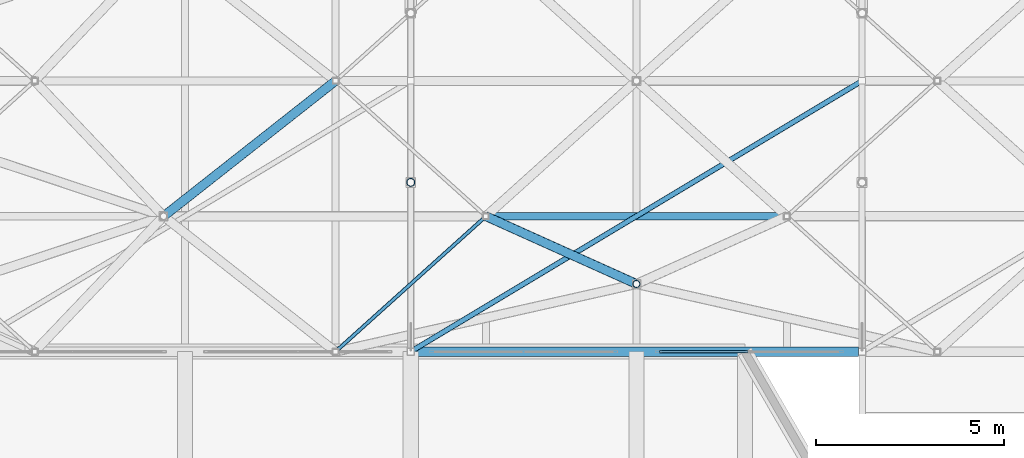
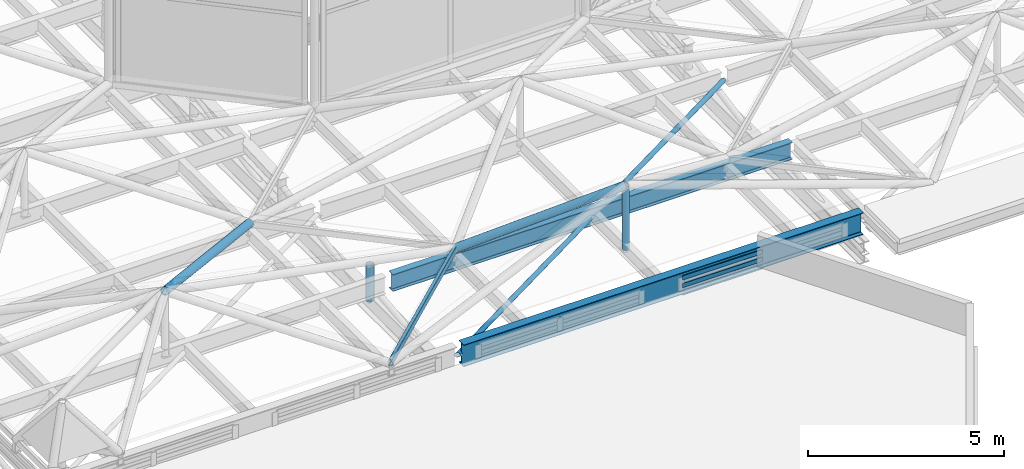
# One storey, part 9 of 239: 8 members, 3 beams, 1 element without a shape of its own.
"""IFC4 building model written with IfcOpenShell, lengths in metres."""

from ifc_helpers import new_model, si_unit, direction, frame, origin, origin_2d, place, context, subcontext, project, spatial, hollow_rectangle, hollow_circle, i_section, extrude, material, layer, layer_set, material_profile, profile_set, type_object, element, aggregate, save


model = new_model("IFC4")

# Units and contexts
model_context = context("Model", 3, precision=1e-05, world=origin(), true_north=direction((0.0, 1.0)))
body_context = subcontext(model_context, "Body", "Model", "MODEL_VIEW")
ifc_project = project(units=[si_unit("LENGTHUNIT", "METRE"), si_unit("AREAUNIT", "SQUARE_METRE"), si_unit("VOLUMEUNIT", "CUBIC_METRE"), si_unit("PLANEANGLEUNIT", "RADIAN"), si_unit("MASSUNIT", "GRAM", prefix="KILO")], contexts=[model_context])

# Site, building, storey
site_placement = place(None, origin())
site = spatial("IfcSite", under=ifc_project, at=site_placement, CompositionType="ELEMENT")
building_placement = place(site_placement, origin())
building = spatial("IfcBuilding", under=site, at=building_placement, Name="Dunvalen Ferry Terminal", CompositionType="ELEMENT")
storey_placement = place(building_placement, frame((0.0, 0.0, 9.840087890625)))
storey = spatial("IfcBuildingStorey", under=building, at=storey_placement, Name="L02", CompositionType="ELEMENT", Elevation=9.840087890625)

# Curtain wall, members
ifc_material_1 = material(Name="Anodised marine aluminium and solar-control glazing", Category="aluminium")
ifc_layer = layer(ifc_material_1, 0.219970703125, Name="Anodised marine aluminium and solar-control glazing")
ifc_layer_set = layer_set([ifc_layer], Name="Anodised marine aluminium and solar-control glazing")
curtain_wall_type = type_object("IfcCurtainWallType", Name="ENV-CW-SYS-02", PredefinedType="NOTDEFINED", material=ifc_layer_set)
curtain_wall_placement = place(storey_placement, origin())
curtain_wall = element("IfcCurtainWall", 1, at=curtain_wall_placement, inside=storey, type_object=curtain_wall_type, Name="L02 Curtain Wall CW-V1SW-CLR-04", PredefinedType="NOTDEFINED")
ifc_material_2 = material(Name="Anodised marine aluminium EN AW-6063 T6", Category="aluminium")
ifc_material_profile_1 = material_profile(ifc_material_2, hollow_rectangle(XDim=0.06005859375, YDim=0.135009765625, WallThickness=0.003173828125, InnerFilletRadius=0.003173828125, OuterFilletRadius=0.00634765625, at=origin_2d()), Name="Anodised marine aluminium EN AW-6063 T6")
ifc_profile_set_1 = profile_set([ifc_material_profile_1], Name="Anodised marine aluminium EN AW-6063 T6")
member_type_1 = type_object("IfcMemberType", Name="ENV-CW-TRN-2", PredefinedType="USERDEFINED", material=ifc_profile_set_1)
member_1_placement = place(storey_placement, frame((30.6201171875, 50.39990234375, 0.27001953125), z_axis=(1.0, 0.0, 0.0), x_axis=(0.0, 1.0, 0.0)))
member_1 = element("IfcMember", 2, at=member_1_placement, type_object=member_type_1, Name="CW-02 transom 1.1", ObjectType="TRANSOM", PredefinedType="USERDEFINED", context=body_context, shape_type="SweptSolid", body=[
    extrude(hollow_rectangle(XDim=0.06005859375, YDim=0.135009765625, WallThickness=0.003173828125, InnerFilletRadius=0.003173828125, OuterFilletRadius=0.00634765625, at=origin_2d()), origin(), (0.0, 0.0, 1.0), 2.349853515625),
])
member_2_placement = place(storey_placement, frame((30.6201171875, 50.39990234375, 0.510009765625), z_axis=(1.0, 0.0, 0.0), x_axis=(0.0, 1.0, 0.0)))
member_2 = element("IfcMember", 3, at=member_2_placement, type_object=member_type_1, Name="CW-02 transom 1.2", ObjectType="TRANSOM", PredefinedType="USERDEFINED", context=body_context, shape_type="SweptSolid", body=[
    extrude(hollow_rectangle(XDim=0.06005859375, YDim=0.135009765625, WallThickness=0.003173828125, InnerFilletRadius=0.003173828125, OuterFilletRadius=0.00634765625, at=origin_2d()), origin(), (0.0, 0.0, 1.0), 2.349853515625),
])
member_3_placement = place(storey_placement, frame((30.6201171875, 50.39990234375, 0.75), z_axis=(1.0, 0.0, 0.0), x_axis=(0.0, 1.0, 0.0)))
member_3 = element("IfcMember", 4, at=member_3_placement, type_object=member_type_1, Name="CW-02 transom 1.3", ObjectType="TRANSOM", PredefinedType="USERDEFINED", context=body_context, shape_type="SweptSolid", body=[
    extrude(hollow_rectangle(XDim=0.06005859375, YDim=0.135009765625, WallThickness=0.003173828125, InnerFilletRadius=0.003173828125, OuterFilletRadius=0.00634765625, at=origin_2d()), origin(), (0.0, 0.0, 1.0), 2.349853515625),
])
aggregate(curtain_wall, [member_1, member_2, member_3])

# Beams
ifc_material_3 = material(Name="Steel S355", Category="steel")
ifc_material_profile_2 = material_profile(ifc_material_3, hollow_rectangle(XDim=0.10009765625, YDim=0.199951171875, WallThickness=0.008056640625, InnerFilletRadius=0.008056640625, OuterFilletRadius=0.01611328125, at=origin_2d()), Name="Steel S355")
ifc_profile_set_2 = profile_set([ifc_material_profile_2], Name="Steel S355")
beam_type_1 = type_object("IfcBeamType", Name="STR-BM-RHS200", PredefinedType="BEAM", material=ifc_profile_set_2)
beam_1_placement = place(storey_placement, frame((22.0, 50.39990234375, 1.099853515625), z_axis=(0.743285123004, 0.668974757313, 0.0), x_axis=(-0.668974757313, 0.743285123004, 0.0)))
element("IfcBeam", 5, at=beam_1_placement, inside=storey, type_object=beam_type_1, Name="HEX-07 Hexagonal Rim Beam 4", PredefinedType="BEAM", context=body_context, shape_type="SweptSolid", body=[
    extrude(hollow_rectangle(XDim=0.10009765625, YDim=0.199951171875, WallThickness=0.008056640625, InnerFilletRadius=0.008056640625, OuterFilletRadius=0.01611328125, at=origin_2d()), origin(), (0.0, 0.0, 1.0), 5.381591796875),
])
ifc_material_profile_3 = material_profile(ifc_material_3, i_section(OverallWidth=0.209228515625, OverallDepth=0.533203125, WebThickness=0.010009765625, FlangeThickness=0.015625, FilletRadius=0.0126953125, at=origin_2d()), Name="Steel S355")
ifc_profile_set_3 = profile_set([ifc_material_profile_3], Name="Steel S355")
beam_type_2 = type_object("IfcBeamType", Name="STR-BM-UKB533", PredefinedType="BEAM", material=ifc_profile_set_3)
beam_2_placement = place(storey_placement, frame((24.10009765625, 54.0, 0.7333984375), z_axis=(1.0, 0.0, 0.0), x_axis=(0.0, 1.0, 0.0)))
element("IfcBeam", 6, at=beam_2_placement, inside=storey, type_object=beam_type_2, Name="Departure Hall Spine Girder B2.02", PredefinedType="BEAM", context=body_context, shape_type="SweptSolid", body=[
    extrude(i_section(OverallWidth=0.209228515625, OverallDepth=0.533203125, WebThickness=0.010009765625, FlangeThickness=0.015625, FilletRadius=0.0126953125, at=origin_2d()), origin(), (0.0, 0.0, 1.0), 11.7998046875),
])
ifc_material_profile_4 = material_profile(ifc_material_3, i_section(OverallWidth=0.253662109375, OverallDepth=0.68359375, WebThickness=0.012451171875, FlangeThickness=0.01904296875, FilletRadius=0.01513671875, at=origin_2d()), Name="Steel S355")
ifc_profile_set_4 = profile_set([ifc_material_profile_4], Name="Steel S355")
beam_type_3 = type_object("IfcBeamType", Name="STR-BM-UKB686", PredefinedType="BEAM", material=ifc_profile_set_4)
beam_3_placement = place(storey_placement, frame((24.10009765625, 50.39990234375, 0.658203125), z_axis=(1.0, 0.0, 0.0), x_axis=(0.0, 1.0, 0.0)))
element("IfcBeam", 7, at=beam_3_placement, inside=storey, type_object=beam_type_3, Name="Departure Hall Spine Girder B2.01", PredefinedType="BEAM", context=body_context, shape_type="SweptSolid", body=[
    extrude(i_section(OverallWidth=0.253662109375, OverallDepth=0.68359375, WebThickness=0.012451171875, FlangeThickness=0.01904296875, FilletRadius=0.01513671875, at=origin_2d()), origin(), (0.0, 0.0, 1.0), 11.7998046875),
])

# Members
ifc_material_profile_5 = material_profile(ifc_material_3, hollow_circle(Radius=0.06982421875, WallThickness=0.00634765625, at=origin_2d()), Name="Steel S355")
ifc_profile_set_5 = profile_set([ifc_material_profile_5], Name="Steel S355")
member_type_2 = type_object("IfcMemberType", Name="STR-MB-CHS139", PredefinedType="BRACE", material=ifc_profile_set_5)
member_4_placement = place(storey_placement, frame((24.0, 50.39990234375, 0.659912109375), z_axis=(0.857486768376, 0.514506017516, 0.0), x_axis=(-0.514506017516, 0.857486768376, 0.0)))
element("IfcMember", 8, at=member_4_placement, inside=storey, type_object=member_type_2, Name="Departure Hall Roof Wind Brace 2A", PredefinedType="BRACE", context=body_context, shape_type="SweptSolid", body=[
    extrude(hollow_circle(Radius=0.06982421875, WallThickness=0.00634765625, at=origin_2d()), origin(), (0.0, 0.0, 1.0), 13.994384765625),
])
ifc_material_profile_6 = material_profile(ifc_material_3, hollow_circle(Radius=0.096923828125, WallThickness=0.008056640625, at=origin_2d()), Name="Steel S355")
ifc_profile_set_6 = profile_set([ifc_material_profile_6], Name="Steel S355")
member_type_3 = type_object("IfcMemberType", Name="STR-MB-CHS193", PredefinedType="STRUT", material=ifc_profile_set_6)
member_5_placement = place(storey_placement, frame((30.0, 52.199951171875, 0.77001953125), z_axis=(0.0, 0.0, 1.0), x_axis=(1.0, 0.0, 0.0)))
element("IfcMember", 9, at=member_5_placement, inside=storey, type_object=member_type_3, Name="HEX-12 Pyramid Apex Strut", PredefinedType="STRUT", context=body_context, shape_type="SweptSolid", body=[
    extrude(hollow_circle(Radius=0.096923828125, WallThickness=0.008056640625, at=origin_2d()), origin(), (0.0, 0.0, 1.0), 1.994873046875),
])
ifc_material_profile_7 = material_profile(ifc_material_3, hollow_circle(Radius=0.109619140625, WallThickness=0.010009765625, at=origin_2d()), Name="Steel S355")
ifc_profile_set_7 = profile_set([ifc_material_profile_7], Name="Steel S355")
member_type_4 = type_object("IfcMemberType", Name="STR-MB-CHS219", PredefinedType="STRUT", material=ifc_profile_set_7)
member_6_placement = place(storey_placement, frame((24.0, 54.89990234375, -0.360107421875), z_axis=(0.0, 0.0, 1.0), x_axis=(1.0, 0.0, 0.0)))
element("IfcMember", 10, at=member_6_placement, inside=storey, type_object=member_type_4, Name="Departure Hall Arch Spandrel Strut 02.1", PredefinedType="STRUT", context=body_context, shape_type="SweptSolid", body=[
    extrude(hollow_circle(Radius=0.109619140625, WallThickness=0.010009765625, at=origin_2d()), origin(), (0.0, 0.0, 1.0), 1.130126953125),
])
ifc_material_profile_8 = material_profile(ifc_material_3, hollow_circle(Radius=0.122314453125, WallThickness=0.010009765625, at=origin_2d()), Name="Steel S355")
ifc_profile_set_8 = profile_set([ifc_material_profile_8], Name="Steel S355")
member_type_5 = type_object("IfcMemberType", Name="STR-MB-CHS244", PredefinedType="STRUT", material=ifc_profile_set_8)
member_7_placement = place(storey_placement, frame((22.0, 57.60009765625, 1.099853515625), z_axis=(-0.755303948682, -0.594836147579, 0.275110709785), x_axis=(0.61871061037, -0.785618979287, 0.0)))
element("IfcMember", 11, at=member_7_placement, inside=storey, type_object=member_type_5, Name="HEX-07 Pyramid Hip Rafter 6", PredefinedType="STRUT", context=body_context, shape_type="SweptSolid", body=[
    extrude(hollow_circle(Radius=0.122314453125, WallThickness=0.010009765625, at=origin_2d()), origin(), (0.0, 0.0, 1.0), 6.05224609375),
])
member_8_placement = place(storey_placement, frame((26.0, 54.0, 1.099853515625), z_axis=(0.852560097395, -0.383662451056, 0.354886466323), x_axis=(0.410373934525, 0.91191733938, 0.0)))
element("IfcMember", 12, at=member_8_placement, inside=storey, type_object=member_type_5, Name="HEX-12 Pyramid Hip Rafter 4", PredefinedType="STRUT", context=body_context, shape_type="SweptSolid", body=[
    extrude(hollow_circle(Radius=0.122314453125, WallThickness=0.010009765625, at=origin_2d()), origin(), (0.0, 0.0, 1.0), 4.691650390625),
])

save(model, "model.ifc")
